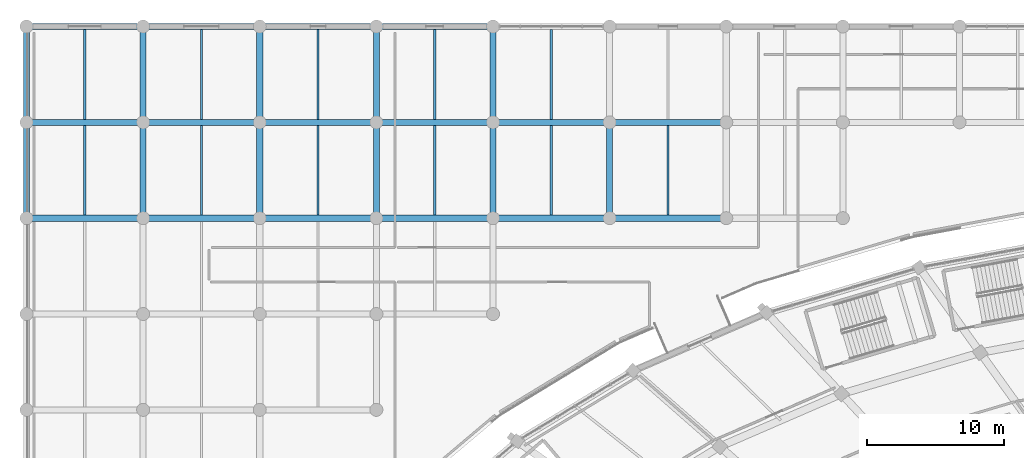
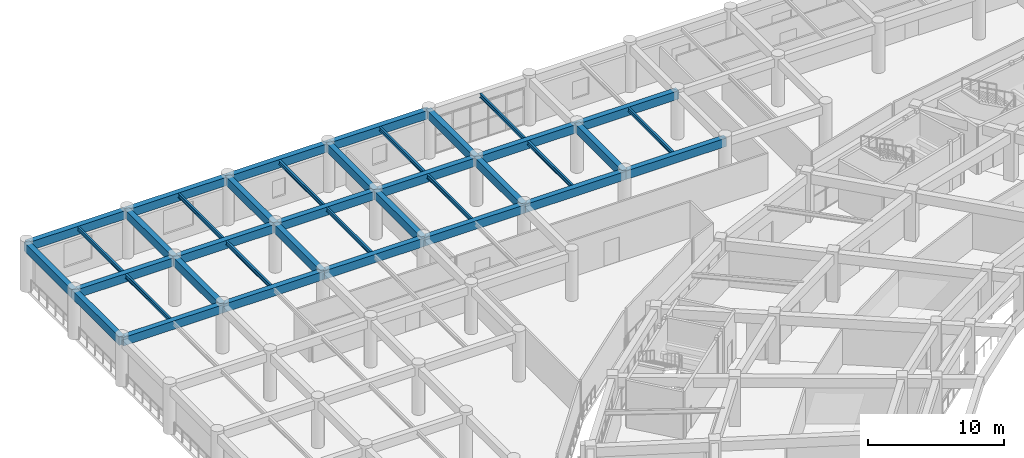
# One storey, part 60 of 145: 38 beams.
"""IFC4 building model written with IfcOpenShell, lengths in metres."""

from ifc_helpers import new_model, si_unit, direction, frame, origin, origin_2d, place, context, subcontext, project, spatial, rectangle, i_section, extrude, material, material_profile, profile_set, type_object, element, save


model = new_model("IFC4")

# Units and contexts
model_context = context("Model", 3, precision=1e-05, world=origin(), true_north=direction((0.0, 1.0)))
body_context = subcontext(model_context, "Body", "Model", "MODEL_VIEW")
ifc_project = project(units=[si_unit("LENGTHUNIT", "METRE"), si_unit("AREAUNIT", "SQUARE_METRE"), si_unit("VOLUMEUNIT", "CUBIC_METRE"), si_unit("PLANEANGLEUNIT", "RADIAN"), si_unit("MASSUNIT", "GRAM", prefix="KILO")], contexts=[model_context])

# Site, building, storey
site_placement = place(None, origin())
site = spatial("IfcSite", under=ifc_project, at=site_placement, CompositionType="ELEMENT")
building_placement = place(site_placement, origin())
building = spatial("IfcBuilding", under=site, at=building_placement, Name="Mphavela Belvedere Stadium", CompositionType="ELEMENT")
storey_placement = place(building_placement, frame((0.0, 0.0, 10.199951171875)))
storey = spatial("IfcBuildingStorey", under=building, at=storey_placement, Name="L02", CompositionType="ELEMENT", Elevation=10.199951171875)

# Beams
ifc_material_1 = material(Name="Steel S355", Category="steel")
ifc_material_profile_1 = material_profile(ifc_material_1, i_section(OverallWidth=0.169921875, OverallDepth=0.360107421875, WebThickness=0.008056640625, FlangeThickness=0.0126953125, at=origin_2d()), Name="IPE 360")
ifc_profile_set_1 = profile_set([ifc_material_profile_1], Name="Steel S355")
beam_type_1 = type_object("IfcBeamType", Name="BM-JOIST-IPE360", PredefinedType="JOIST", material=ifc_profile_set_1)
for number, where, z_axis, x_axis, name in (
    (1, (4.259521484375, 160.22509765625, 4.06005859375), (0.0, 1.0, 0.0), (-1.0, 0.0, 0.0), "North Mast and Ceremonial End Forecourt secondary joist L02 1-6"),
    (2, (4.259521484375, 167.22509765625, 4.06005859375), (0.0, 1.0, 0.0), (-1.0, 0.0, 0.0), "North Mast and Ceremonial End Forecourt secondary joist L02 1-7"),
    (3, (12.778076171875, 160.22509765625, 4.06005859375), (0.0, 1.0, 0.0), (-1.0, 0.0, 0.0), "North Mast and Ceremonial End Forecourt secondary joist L02 2-6"),
    (4, (12.778076171875, 167.22509765625, 4.06005859375), (0.0, 1.0, 0.0), (-1.0, 0.0, 0.0), "North Mast and Ceremonial End Forecourt secondary joist L02 2-7"),
    (5, (21.29638671875, 160.22509765625, 4.06005859375), (0.0, 1.0, 0.0), (-1.0, 0.0, 0.0), "North Mast and Ceremonial End Forecourt secondary joist L02 3-6"),
    (6, (21.29638671875, 167.22509765625, 4.06005859375), (0.0, 1.0, 0.0), (-1.0, 0.0, 0.0), "North Mast and Ceremonial End Forecourt secondary joist L02 3-7"),
    (7, (29.81494140625, 160.22509765625, 4.06005859375), (0.0, 1.0, 0.0), (-1.0, 0.0, 0.0), "North Mast and Ceremonial End Forecourt secondary joist L02 4-6"),
    (8, (29.81494140625, 167.22509765625, 4.06005859375), (0.0, 1.0, 0.0), (-1.0, 0.0, 0.0), "North Mast and Ceremonial End Forecourt secondary joist L02 4-7"),
    (9, (38.33349609375, 160.22509765625, 4.06005859375), (0.0, 1.0, 0.0), (-1.0, 0.0, 0.0), "North Mast and Ceremonial End Forecourt secondary joist L02 5-6"),
    (10, (38.33349609375, 167.22509765625, 4.06005859375), (0.0, 1.0, 0.0), (-1.0, 0.0, 0.0), "North Mast and Ceremonial End Forecourt secondary joist L02 5-7"),
    (11, (46.85205078125, 160.22509765625, 4.06005859375), (0.0, 1.0, 0.0), (-1.0, 0.0, 0.0), "North Mast and Ceremonial End Forecourt secondary joist L02 6-6"),
):
    element("IfcBeam", number, at=place(storey_placement, frame(where, z_axis=z_axis, x_axis=x_axis)), inside=storey, type_object=beam_type_1, Name=name, PredefinedType="JOIST", context=body_context, shape_type="SweptSolid", body=[
        extrude(i_section(OverallWidth=0.169921875, OverallDepth=0.360107421875, WebThickness=0.008056640625, FlangeThickness=0.0126953125, at=origin_2d()), origin(), (0.0, 0.0, 1.0), 6.5498046875),
    ])
ifc_material_2 = material(Name="Concrete C40/50", Category="concrete")
ifc_material_profile_2 = material_profile(ifc_material_2, rectangle(XDim=0.449951171875, YDim=0.75, at=origin_2d()), Name="RC 450x750")
ifc_profile_set_2 = profile_set([ifc_material_profile_2], Name="Concrete C40/50")
beam_type_2 = type_object("IfcBeamType", Name="BM-RC450x750", PredefinedType="BEAM", material=ifc_profile_set_2)
beam_1_placement = place(storey_placement, frame((0.0, 160.0, 3.864990234375), z_axis=(1.0, 0.0, 0.0), x_axis=(0.0, 1.0, 0.0)))
element("IfcBeam", 12, at=beam_1_placement, inside=storey, type_object=beam_type_2, Name="North Mast and Ceremonial End Forecourt entablature beam X L02 1-6", PredefinedType="BEAM", context=body_context, shape_type="SweptSolid", body=[
    extrude(rectangle(XDim=0.449951171875, YDim=0.75, at=origin_2d()), origin(), (0.0, 0.0, 1.0), 8.51904296875),
])
beam_2_placement = place(storey_placement, frame((0.0, 160.0, 3.864990234375), z_axis=(0.0, 1.0, 0.0), x_axis=(-1.0, 0.0, 0.0)))
element("IfcBeam", 13, at=beam_2_placement, inside=storey, type_object=beam_type_2, Name="North Mast and Ceremonial End Forecourt entablature beam Y L02 1-6", PredefinedType="BEAM", context=body_context, shape_type="SweptSolid", body=[
    extrude(rectangle(XDim=0.449951171875, YDim=0.75, at=origin_2d()), origin(), (0.0, 0.0, 1.0), 7.0),
])
beam_3_placement = place(storey_placement, frame((0.0, 167.0, 3.864990234375), z_axis=(1.0, 0.0, 0.0), x_axis=(0.0, 1.0, 0.0)))
element("IfcBeam", 14, at=beam_3_placement, inside=storey, type_object=beam_type_2, Name="North Mast and Ceremonial End Forecourt entablature beam X L02 1-7", PredefinedType="BEAM", context=body_context, shape_type="SweptSolid", body=[
    extrude(rectangle(XDim=0.449951171875, YDim=0.75, at=origin_2d()), origin(), (0.0, 0.0, 1.0), 8.51904296875),
])
beam_4_placement = place(storey_placement, frame((0.0, 167.0, 3.864990234375), z_axis=(0.0, 1.0, 0.0), x_axis=(-1.0, 0.0, 0.0)))
element("IfcBeam", 15, at=beam_4_placement, inside=storey, type_object=beam_type_2, Name="North Mast and Ceremonial End Forecourt entablature beam Y L02 1-7", PredefinedType="BEAM", context=body_context, shape_type="SweptSolid", body=[
    extrude(rectangle(XDim=0.449951171875, YDim=0.75, at=origin_2d()), origin(), (0.0, 0.0, 1.0), 7.0),
])
beam_5_placement = place(storey_placement, frame((0.0, 174.0, 3.864990234375), z_axis=(1.0, 0.0, 0.0), x_axis=(0.0, 1.0, 0.0)))
element("IfcBeam", 16, at=beam_5_placement, inside=storey, type_object=beam_type_2, Name="North Mast and Ceremonial End Forecourt entablature beam X L02 1-8", PredefinedType="BEAM", context=body_context, shape_type="SweptSolid", body=[
    extrude(rectangle(XDim=0.449951171875, YDim=0.75, at=origin_2d()), origin(), (0.0, 0.0, 1.0), 8.51904296875),
])
beam_6_placement = place(storey_placement, frame((8.51904296875, 160.0, 3.864990234375), z_axis=(1.0, 0.0, 0.0), x_axis=(0.0, 1.0, 0.0)))
element("IfcBeam", 17, at=beam_6_placement, inside=storey, type_object=beam_type_2, Name="North Mast and Ceremonial End Forecourt entablature beam X L02 2-6", PredefinedType="BEAM", context=body_context, shape_type="SweptSolid", body=[
    extrude(rectangle(XDim=0.449951171875, YDim=0.75, at=origin_2d()), origin(), (0.0, 0.0, 1.0), 8.51806640625),
])
beam_7_placement = place(storey_placement, frame((8.51904296875, 160.0, 3.864990234375), z_axis=(0.0, 1.0, 0.0), x_axis=(-1.0, 0.0, 0.0)))
element("IfcBeam", 18, at=beam_7_placement, inside=storey, type_object=beam_type_2, Name="North Mast and Ceremonial End Forecourt entablature beam Y L02 2-6", PredefinedType="BEAM", context=body_context, shape_type="SweptSolid", body=[
    extrude(rectangle(XDim=0.449951171875, YDim=0.75, at=origin_2d()), origin(), (0.0, 0.0, 1.0), 7.0),
])
beam_8_placement = place(storey_placement, frame((8.51904296875, 167.0, 3.864990234375), z_axis=(1.0, 0.0, 0.0), x_axis=(0.0, 1.0, 0.0)))
element("IfcBeam", 19, at=beam_8_placement, inside=storey, type_object=beam_type_2, Name="North Mast and Ceremonial End Forecourt entablature beam X L02 2-7", PredefinedType="BEAM", context=body_context, shape_type="SweptSolid", body=[
    extrude(rectangle(XDim=0.449951171875, YDim=0.75, at=origin_2d()), origin(), (0.0, 0.0, 1.0), 8.51806640625),
])
beam_9_placement = place(storey_placement, frame((8.51904296875, 167.0, 3.864990234375), z_axis=(0.0, 1.0, 0.0), x_axis=(-1.0, 0.0, 0.0)))
element("IfcBeam", 20, at=beam_9_placement, inside=storey, type_object=beam_type_2, Name="North Mast and Ceremonial End Forecourt entablature beam Y L02 2-7", PredefinedType="BEAM", context=body_context, shape_type="SweptSolid", body=[
    extrude(rectangle(XDim=0.449951171875, YDim=0.75, at=origin_2d()), origin(), (0.0, 0.0, 1.0), 7.0),
])
beam_10_placement = place(storey_placement, frame((8.51904296875, 174.0, 3.864990234375), z_axis=(1.0, 0.0, 0.0), x_axis=(0.0, 1.0, 0.0)))
element("IfcBeam", 21, at=beam_10_placement, inside=storey, type_object=beam_type_2, Name="North Mast and Ceremonial End Forecourt entablature beam X L02 2-8", PredefinedType="BEAM", context=body_context, shape_type="SweptSolid", body=[
    extrude(rectangle(XDim=0.449951171875, YDim=0.75, at=origin_2d()), origin(), (0.0, 0.0, 1.0), 8.51806640625),
])
beam_11_placement = place(storey_placement, frame((17.037109375, 160.0, 3.864990234375), z_axis=(1.0, 0.0, 0.0), x_axis=(0.0, 1.0, 0.0)))
element("IfcBeam", 22, at=beam_11_placement, inside=storey, type_object=beam_type_2, Name="North Mast and Ceremonial End Forecourt entablature beam X L02 3-6", PredefinedType="BEAM", context=body_context, shape_type="SweptSolid", body=[
    extrude(rectangle(XDim=0.449951171875, YDim=0.75, at=origin_2d()), origin(), (0.0, 0.0, 1.0), 8.518798828125),
])
beam_12_placement = place(storey_placement, frame((17.037109375, 160.0, 3.864990234375), z_axis=(0.0, 1.0, 0.0), x_axis=(-1.0, 0.0, 0.0)))
element("IfcBeam", 23, at=beam_12_placement, inside=storey, type_object=beam_type_2, Name="North Mast and Ceremonial End Forecourt entablature beam Y L02 3-6", PredefinedType="BEAM", context=body_context, shape_type="SweptSolid", body=[
    extrude(rectangle(XDim=0.449951171875, YDim=0.75, at=origin_2d()), origin(), (0.0, 0.0, 1.0), 7.0),
])
beam_13_placement = place(storey_placement, frame((17.037109375, 167.0, 3.864990234375), z_axis=(1.0, 0.0, 0.0), x_axis=(0.0, 1.0, 0.0)))
element("IfcBeam", 24, at=beam_13_placement, inside=storey, type_object=beam_type_2, Name="North Mast and Ceremonial End Forecourt entablature beam X L02 3-7", PredefinedType="BEAM", context=body_context, shape_type="SweptSolid", body=[
    extrude(rectangle(XDim=0.449951171875, YDim=0.75, at=origin_2d()), origin(), (0.0, 0.0, 1.0), 8.518798828125),
])
beam_14_placement = place(storey_placement, frame((17.037109375, 167.0, 3.864990234375), z_axis=(0.0, 1.0, 0.0), x_axis=(-1.0, 0.0, 0.0)))
element("IfcBeam", 25, at=beam_14_placement, inside=storey, type_object=beam_type_2, Name="North Mast and Ceremonial End Forecourt entablature beam Y L02 3-7", PredefinedType="BEAM", context=body_context, shape_type="SweptSolid", body=[
    extrude(rectangle(XDim=0.449951171875, YDim=0.75, at=origin_2d()), origin(), (0.0, 0.0, 1.0), 7.0),
])
beam_15_placement = place(storey_placement, frame((17.037109375, 174.0, 3.864990234375), z_axis=(1.0, 0.0, 0.0), x_axis=(0.0, 1.0, 0.0)))
element("IfcBeam", 26, at=beam_15_placement, inside=storey, type_object=beam_type_2, Name="North Mast and Ceremonial End Forecourt entablature beam X L02 3-8", PredefinedType="BEAM", context=body_context, shape_type="SweptSolid", body=[
    extrude(rectangle(XDim=0.449951171875, YDim=0.75, at=origin_2d()), origin(), (0.0, 0.0, 1.0), 8.518798828125),
])
beam_16_placement = place(storey_placement, frame((25.555908203125, 160.0, 3.864990234375), z_axis=(1.0, 0.0, 0.0), x_axis=(0.0, 1.0, 0.0)))
element("IfcBeam", 27, at=beam_16_placement, inside=storey, type_object=beam_type_2, Name="North Mast and Ceremonial End Forecourt entablature beam X L02 4-6", PredefinedType="BEAM", context=body_context, shape_type="SweptSolid", body=[
    extrude(rectangle(XDim=0.449951171875, YDim=0.75, at=origin_2d()), origin(), (0.0, 0.0, 1.0), 8.51806640625),
])
beam_17_placement = place(storey_placement, frame((25.555908203125, 160.0, 3.864990234375), z_axis=(0.0, 1.0, 0.0), x_axis=(-1.0, 0.0, 0.0)))
element("IfcBeam", 28, at=beam_17_placement, inside=storey, type_object=beam_type_2, Name="North Mast and Ceremonial End Forecourt entablature beam Y L02 4-6", PredefinedType="BEAM", context=body_context, shape_type="SweptSolid", body=[
    extrude(rectangle(XDim=0.449951171875, YDim=0.75, at=origin_2d()), origin(), (0.0, 0.0, 1.0), 7.0),
])
beam_18_placement = place(storey_placement, frame((25.555908203125, 167.0, 3.864990234375), z_axis=(1.0, 0.0, 0.0), x_axis=(0.0, 1.0, 0.0)))
element("IfcBeam", 29, at=beam_18_placement, inside=storey, type_object=beam_type_2, Name="North Mast and Ceremonial End Forecourt entablature beam X L02 4-7", PredefinedType="BEAM", context=body_context, shape_type="SweptSolid", body=[
    extrude(rectangle(XDim=0.449951171875, YDim=0.75, at=origin_2d()), origin(), (0.0, 0.0, 1.0), 8.51806640625),
])
beam_19_placement = place(storey_placement, frame((25.555908203125, 167.0, 3.864990234375), z_axis=(0.0, 1.0, 0.0), x_axis=(-1.0, 0.0, 0.0)))
element("IfcBeam", 30, at=beam_19_placement, inside=storey, type_object=beam_type_2, Name="North Mast and Ceremonial End Forecourt entablature beam Y L02 4-7", PredefinedType="BEAM", context=body_context, shape_type="SweptSolid", body=[
    extrude(rectangle(XDim=0.449951171875, YDim=0.75, at=origin_2d()), origin(), (0.0, 0.0, 1.0), 7.0),
])
beam_20_placement = place(storey_placement, frame((25.555908203125, 174.0, 3.864990234375), z_axis=(1.0, 0.0, 0.0), x_axis=(0.0, 1.0, 0.0)))
element("IfcBeam", 31, at=beam_20_placement, inside=storey, type_object=beam_type_2, Name="North Mast and Ceremonial End Forecourt entablature beam X L02 4-8", PredefinedType="BEAM", context=body_context, shape_type="SweptSolid", body=[
    extrude(rectangle(XDim=0.449951171875, YDim=0.75, at=origin_2d()), origin(), (0.0, 0.0, 1.0), 8.51806640625),
])
beam_21_placement = place(storey_placement, frame((34.073974609375, 160.0, 3.864990234375), z_axis=(1.0, 0.0, 0.0), x_axis=(0.0, 1.0, 0.0)))
element("IfcBeam", 32, at=beam_21_placement, inside=storey, type_object=beam_type_2, Name="North Mast and Ceremonial End Forecourt entablature beam X L02 5-6", PredefinedType="BEAM", context=body_context, shape_type="SweptSolid", body=[
    extrude(rectangle(XDim=0.449951171875, YDim=0.75, at=origin_2d()), origin(), (0.0, 0.0, 1.0), 8.51904296875),
])
beam_22_placement = place(storey_placement, frame((34.073974609375, 160.0, 3.864990234375), z_axis=(0.0, 1.0, 0.0), x_axis=(-1.0, 0.0, 0.0)))
element("IfcBeam", 33, at=beam_22_placement, inside=storey, type_object=beam_type_2, Name="North Mast and Ceremonial End Forecourt entablature beam Y L02 5-6", PredefinedType="BEAM", context=body_context, shape_type="SweptSolid", body=[
    extrude(rectangle(XDim=0.449951171875, YDim=0.75, at=origin_2d()), origin(), (0.0, 0.0, 1.0), 7.0),
])
beam_23_placement = place(storey_placement, frame((34.073974609375, 167.0, 3.864990234375), z_axis=(1.0, 0.0, 0.0), x_axis=(0.0, 1.0, 0.0)))
element("IfcBeam", 34, at=beam_23_placement, inside=storey, type_object=beam_type_2, Name="North Mast and Ceremonial End Forecourt entablature beam X L02 5-7", PredefinedType="BEAM", context=body_context, shape_type="SweptSolid", body=[
    extrude(rectangle(XDim=0.449951171875, YDim=0.75, at=origin_2d()), origin(), (0.0, 0.0, 1.0), 8.51904296875),
])
beam_24_placement = place(storey_placement, frame((34.073974609375, 167.0, 3.864990234375), z_axis=(0.0, 1.0, 0.0), x_axis=(-1.0, 0.0, 0.0)))
element("IfcBeam", 35, at=beam_24_placement, inside=storey, type_object=beam_type_2, Name="North Mast and Ceremonial End Forecourt entablature beam Y L02 5-7", PredefinedType="BEAM", context=body_context, shape_type="SweptSolid", body=[
    extrude(rectangle(XDim=0.449951171875, YDim=0.75, at=origin_2d()), origin(), (0.0, 0.0, 1.0), 7.0),
])
beam_25_placement = place(storey_placement, frame((42.593017578125, 160.0, 3.864990234375), z_axis=(1.0, 0.0, 0.0), x_axis=(0.0, 1.0, 0.0)))
element("IfcBeam", 36, at=beam_25_placement, inside=storey, type_object=beam_type_2, Name="North Mast and Ceremonial End Forecourt entablature beam X L02 6-6", PredefinedType="BEAM", context=body_context, shape_type="SweptSolid", body=[
    extrude(rectangle(XDim=0.449951171875, YDim=0.75, at=origin_2d()), origin(), (0.0, 0.0, 1.0), 8.51806640625),
])
beam_26_placement = place(storey_placement, frame((42.593017578125, 160.0, 3.864990234375), z_axis=(0.0, 1.0, 0.0), x_axis=(-1.0, 0.0, 0.0)))
element("IfcBeam", 37, at=beam_26_placement, inside=storey, type_object=beam_type_2, Name="North Mast and Ceremonial End Forecourt entablature beam Y L02 6-6", PredefinedType="BEAM", context=body_context, shape_type="SweptSolid", body=[
    extrude(rectangle(XDim=0.449951171875, YDim=0.75, at=origin_2d()), origin(), (0.0, 0.0, 1.0), 7.0),
])
beam_27_placement = place(storey_placement, frame((42.593017578125, 167.0, 3.864990234375), z_axis=(1.0, 0.0, 0.0), x_axis=(0.0, 1.0, 0.0)))
element("IfcBeam", 38, at=beam_27_placement, inside=storey, type_object=beam_type_2, Name="North Mast and Ceremonial End Forecourt entablature beam X L02 6-7", PredefinedType="BEAM", context=body_context, shape_type="SweptSolid", body=[
    extrude(rectangle(XDim=0.449951171875, YDim=0.75, at=origin_2d()), origin(), (0.0, 0.0, 1.0), 8.51806640625),
])

save(model, "model.ifc")
